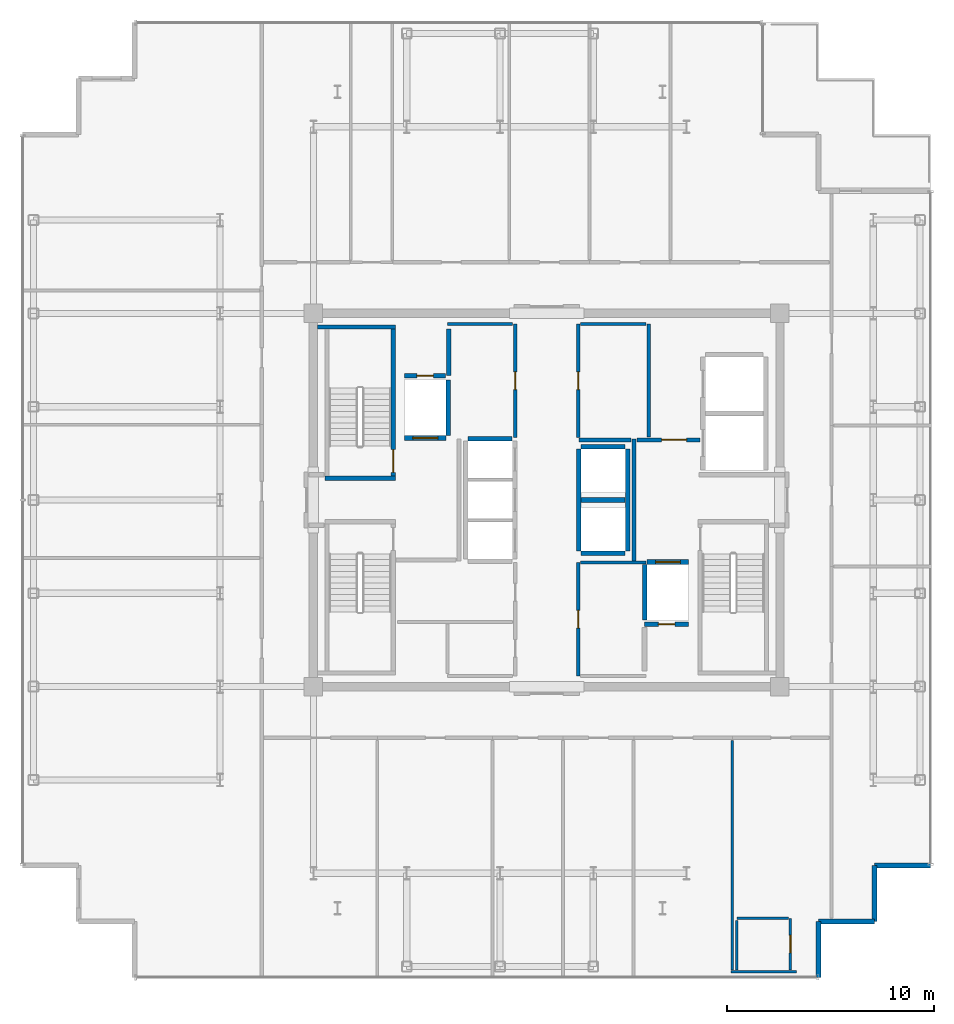
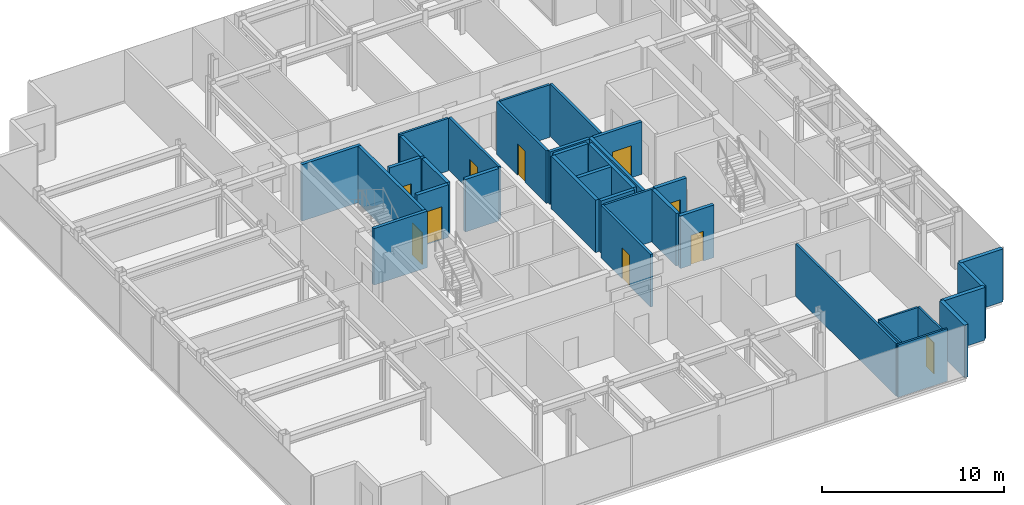
# One storey, part 13 of 17: 35 walls, 10 doors, 10 openings.
"""IFC4 building model written with IfcOpenShell, lengths in metres."""

from ifc_helpers import new_model, si_unit, direction, frame, frame_2d, origin, place, context, subcontext, project, spatial, rectangle, extrude, source, transform, mapped, material, layer, layer_set, type_object, element, fill, save


model = new_model("IFC4")

# Units and contexts
model_context = context("Model", 3, precision=1e-05, world=origin(), true_north=direction((0.0, 1.0)))
body_context = subcontext(model_context, "Body", "Model", "MODEL_VIEW")
ifc_project = project(units=[si_unit("LENGTHUNIT", "METRE"), si_unit("AREAUNIT", "SQUARE_METRE"), si_unit("VOLUMEUNIT", "CUBIC_METRE"), si_unit("PLANEANGLEUNIT", "RADIAN"), si_unit("MASSUNIT", "GRAM", prefix="KILO")], contexts=[model_context])

# Site, building, storey
site_placement = place(None, origin())
site = spatial("IfcSite", under=ifc_project, at=site_placement, CompositionType="ELEMENT")
building_placement = place(site_placement, origin())
building = spatial("IfcBuilding", under=site, at=building_placement, Name="Nefas-Gora Pilgrimage Tower", CompositionType="ELEMENT")
storey_placement = place(building_placement, frame((0.0, 0.0, 337.60009765625)))
storey = spatial("IfcBuildingStorey", under=building, at=storey_placement, Name="L85", CompositionType="ELEMENT", Elevation=337.60009765625)

# Walls
ifc_material_1 = material(Name="Precast concrete C45/55", Category="concrete")
ifc_layer_1 = layer(ifc_material_1, 0.239990234375)
ifc_layer_set_1 = layer_set([ifc_layer_1], Name="Precast concrete C45/55")
wall_type_1 = type_object("IfcWallType", Name="EW-SERR-240", PredefinedType="SHEAR", material=ifc_layer_set_1)
shared_shape_1 = source(origin(), body_context, "Body", "SweptSolid", [
    extrude(rectangle(XDim=2.699951171875, YDim=0.239990234375, at=frame_2d((1.35009765625, 0.0))), origin(), (0.0, 0.0, 1.0), 3.5498046875),
])
for number, where, z_axis, x_axis, name in (
    (1, (13.1201171875, -23.02001953125, 0.0), (0.0, 0.0, 1.0), (0.0, 1.0, 0.0), "L85 Serrated Corner Shear Pier Wall 12"),
    (2, (13.1201171875, -20.320068359375, 0.0), (0.0, 0.0, 1.0), (1.0, 0.0, 0.0), "L85 Serrated Corner Shear Pier Wall 13"),
    (3, (15.820068359375, -20.320068359375, 0.0), (0.0, 0.0, 1.0), (0.0, 1.0, 0.0), "L85 Serrated Corner Shear Pier Wall 14"),
    (4, (15.820068359375, -17.6201171875, 0.0), (0.0, 0.0, 1.0), (1.0, 0.0, 0.0), "L85 Serrated Corner Shear Pier Wall 15"),
):
    element("IfcWall", number, at=place(storey_placement, frame(where, z_axis=z_axis, x_axis=x_axis)), inside=storey, type_object=wall_type_1, Name=name, PredefinedType="SHEAR", context=body_context, shape_type="MappedRepresentation", body=[
        mapped(shared_shape_1, transform((0.0, 0.0, 0.0), x_axis=(1.0, 0.0, 0.0), y_axis=(0.0, 1.0, 0.0), z_axis=(0.0, 0.0, 1.0), scale=1.0)),
    ])
ifc_material_2 = material(Name="Concrete C45/55", Category="concrete")
ifc_layer_2 = layer(ifc_material_2, 0.199951171875)
ifc_layer_set_2 = layer_set([ifc_layer_2], Name="Concrete C45/55")
wall_type_2 = type_object("IfcWallType", Name="IW-STAIR-200", PredefinedType="SOLIDWALL", material=ifc_layer_set_2)
shared_shape_2 = source(origin(), body_context, "Body", "SweptSolid", [
    extrude(rectangle(XDim=3.39990234375, YDim=0.199951171875, at=frame_2d((1.699951171875, 0.0))), origin(), (0.0, 0.0, 1.0), 3.7998046875),
])
wall_1_placement = place(storey_placement, frame((-7.300048828125, 1.050048828125, 0.0), z_axis=(0.0, 0.0, 1.0), x_axis=(-1.0, 0.0, 0.0)))
element("IfcWall", 5, at=wall_1_placement, inside=storey, type_object=wall_type_2, Name="L85 Stairwell Shear Wall ST-01-near", PredefinedType="SOLIDWALL", context=body_context, shape_type="MappedRepresentation", body=[
    mapped(shared_shape_2, transform((0.0, 0.0, 0.0), x_axis=(1.0, 0.0, 0.0), y_axis=(0.0, 1.0, 0.0), z_axis=(0.0, 0.0, 1.0), scale=1.0)),
])

# Wall, opening, door
shared_shape_3 = source(origin(), body_context, "Body", "SweptSolid", [
    extrude(rectangle(XDim=7.10009765625, YDim=0.199951171875, at=frame_2d((3.550048828125, 0.0))), origin(), (0.0, 0.0, 1.0), 3.7998046875),
])
wall_2_placement = place(storey_placement, frame((-7.39990234375, 1.14990234375, 0.0), z_axis=(0.0, 0.0, 1.0), x_axis=(0.0, 1.0, 0.0)))
wall_2 = element("IfcWall", 6, at=wall_2_placement, inside=storey, type_object=wall_type_2, Name="L85 Stairwell Shear Wall ST-01-left", PredefinedType="SOLIDWALL", context=body_context, shape_type="MappedRepresentation", body=[
    mapped(shared_shape_3, transform((0.0, 0.0, 0.0), x_axis=(1.0, 0.0, 0.0), y_axis=(0.0, 1.0, 0.0), z_axis=(0.0, 0.0, 1.0), scale=1.0)),
])
opening_1_placement = place(wall_2_placement, frame((0.179931640625, 0.0, 0.0)))
opening_1 = element("IfcOpeningElement", 7, at=opening_1_placement, cuts=wall_2, Name="Opening ID-ST1", PredefinedType="OPENING", context=body_context, shape_type="SweptSolid", body=[
    extrude(rectangle(XDim=1.10009765625, YDim=2.14990234375, at=frame_2d((0.550048828125, 1.074951171875))), frame((0.0, 0.10986328125, 0.0), z_axis=(0.0, -1.0, 0.0), x_axis=(1.0, 0.0, 0.0)), (0.0, 0.0, 1.0), 0.219970703125),
])
ifc_material_3 = material(Name="Painted galvanised steel fire stair door", Category="steel")
door_type_1 = type_object("IfcDoorType", Name="DR-INT-STAIR-1100", OperationType="NOTDEFINED", PredefinedType="DOOR", material=ifc_material_3)
shared_shape_4 = source(origin(), body_context, "Body", "SweptSolid", [
    extrude(rectangle(XDim=1.10009765625, YDim=2.14990234375, at=frame_2d((0.550048828125, 1.074951171875))), frame((0.0, 0.02490234375, 0.0), z_axis=(0.0, -1.0, 0.0), x_axis=(1.0, 0.0, 0.0)), (0.0, 0.0, 1.0), 0.050048828125),
])
door_1_placement = place(opening_1_placement, origin())
door_1 = element("IfcDoor", 8, at=door_1_placement, inside=storey, type_object=door_type_1, Name="L85 Protected Exit Stair Door ST-01", OperationType="SINGLE_SWING_LEFT", OverallHeight=2.14990234375, OverallWidth=1.10009765625, PredefinedType="DOOR", context=body_context, shape_type="MappedRepresentation", body=[
    mapped(shared_shape_4, transform((0.0, 0.0, 0.0), x_axis=(1.0, 0.0, 0.0), y_axis=(0.0, 1.0, 0.0), z_axis=(0.0, 0.0, 1.0), scale=1.0)),
])
fill(opening_1, door_1)

# Wall
shared_shape_5 = source(origin(), body_context, "Body", "SweptSolid", [
    extrude(rectangle(XDim=3.7548828125, YDim=0.199951171875, at=frame_2d((1.87744140625, 0.0))), origin(), (0.0, 0.0, 1.0), 3.7998046875),
])
wall_3_placement = place(storey_placement, frame((-7.300048828125, 8.35009765625, 0.0), z_axis=(0.0, 0.0, 1.0), x_axis=(-1.0, 0.0, 0.0)))
element("IfcWall", 9, at=wall_3_placement, inside=storey, type_object=wall_type_2, Name="L85 Stairwell Shear Wall ST-01-far", PredefinedType="SOLIDWALL", context=body_context, shape_type="MappedRepresentation", body=[
    mapped(shared_shape_5, transform((0.0, 0.0, 0.0), x_axis=(1.0, 0.0, 0.0), y_axis=(0.0, 1.0, 0.0), z_axis=(0.0, 0.0, 1.0), scale=1.0)),
])

# Wall, opening, door
ifc_material_4 = material(Name="Concrete C40/50", Category="concrete")
ifc_layer_3 = layer(ifc_material_4, 0.219970703125)
ifc_layer_set_3 = layer_set([ifc_layer_3], Name="Concrete C40/50")
wall_type_3 = type_object("IfcWallType", Name="IW-SHAFT-220", PredefinedType="SOLIDWALL", material=ifc_layer_set_3)
shared_shape_6 = source(origin(), body_context, "Body", "SweptSolid", [
    extrude(rectangle(XDim=2.0, YDim=0.219970703125, at=frame_2d((1.0, 0.0))), origin(), (0.0, 0.0, 1.0), 3.534912109375),
])
wall_4_placement = place(storey_placement, frame((-6.85009765625, 2.989990234375, 0.0), z_axis=(0.0, 0.0, 1.0), x_axis=(1.0, 0.0, 0.0)))
wall_4 = element("IfcWall", 10, at=wall_4_placement, inside=storey, type_object=wall_type_3, Name="L85 Hoistway Wall FFL-01-S", PredefinedType="SOLIDWALL", context=body_context, shape_type="MappedRepresentation", body=[
    mapped(shared_shape_6, transform((0.0, 0.0, 0.0), x_axis=(1.0, 0.0, 0.0), y_axis=(0.0, 1.0, 0.0), z_axis=(0.0, 0.0, 1.0), scale=1.0)),
])
opening_2_placement = place(wall_4_placement, frame((0.39990234375, 0.0, 0.0)))
opening_2 = element("IfcOpeningElement", 11, at=opening_2_placement, cuts=wall_4, Name="Opening LD-FF", PredefinedType="OPENING", context=body_context, shape_type="SweptSolid", body=[
    extrude(rectangle(XDim=1.199951171875, YDim=2.199951171875, at=frame_2d((0.60009765625, 1.10009765625))), frame((0.0, 0.119873046875, 0.0), z_axis=(0.0, -1.0, 0.0), x_axis=(1.0, 0.0, 0.0)), (0.0, 0.0, 1.0), 0.239990234375),
])
ifc_material_5 = material(Name="Fire-service sliding lift landing door")
door_type_2 = type_object("IfcDoorType", Name="DR-LIFT-FSAE-1200", OperationType="SLIDING_TO_LEFT", PredefinedType="DOOR", material=ifc_material_5)
shared_shape_7 = source(origin(), body_context, "Body", "SweptSolid", [
    extrude(rectangle(XDim=1.199951171875, YDim=2.199951171875, at=frame_2d((0.60009765625, 1.10009765625))), frame((0.0, 0.02490234375, 0.0), z_axis=(0.0, -1.0, 0.0), x_axis=(1.0, 0.0, 0.0)), (0.0, 0.0, 1.0), 0.050048828125),
])
door_2_placement = place(opening_2_placement, origin())
door_2 = element("IfcDoor", 12, at=door_2_placement, inside=storey, type_object=door_type_2, Name="L85 Sliding Lift Landing Door FFL-01", OperationType="SLIDING_TO_LEFT", OverallHeight=2.199951171875, OverallWidth=1.199951171875, PredefinedType="DOOR", context=body_context, shape_type="MappedRepresentation", body=[
    mapped(shared_shape_7, transform((0.0, 0.0, 0.0), x_axis=(1.0, 0.0, 0.0), y_axis=(0.0, 1.0, 0.0), z_axis=(0.0, 0.0, 1.0), scale=1.0)),
])
fill(opening_2, door_2)

wall_5_placement = place(storey_placement, frame((6.85009765625, -2.989990234375, 0.0), z_axis=(0.0, 0.0, 1.0), x_axis=(-1.0, 0.0, 0.0)))
wall_5 = element("IfcWall", 13, at=wall_5_placement, inside=storey, type_object=wall_type_3, Name="L85 Hoistway Wall FFL-02-N", PredefinedType="SOLIDWALL", context=body_context, shape_type="MappedRepresentation", body=[
    mapped(shared_shape_6, transform((0.0, 0.0, 0.0), x_axis=(1.0, 0.0, 0.0), y_axis=(0.0, 1.0, 0.0), z_axis=(0.0, 0.0, 1.0), scale=1.0)),
])
opening_3_placement = place(wall_5_placement, frame((0.39990234375, 0.0, 0.0)))
opening_3 = element("IfcOpeningElement", 14, at=opening_3_placement, cuts=wall_5, Name="Opening LD-FF", PredefinedType="OPENING", context=body_context, shape_type="SweptSolid", body=[
    extrude(rectangle(XDim=1.199951171875, YDim=2.199951171875, at=frame_2d((0.60009765625, 1.10009765625))), frame((0.0, 0.119873046875, 0.0), z_axis=(0.0, -1.0, 0.0), x_axis=(1.0, 0.0, 0.0)), (0.0, 0.0, 1.0), 0.239990234375),
])
door_3_placement = place(opening_3_placement, origin())
door_3 = element("IfcDoor", 15, at=door_3_placement, inside=storey, type_object=door_type_2, Name="L85 Sliding Lift Landing Door FFL-02", OperationType="SLIDING_TO_LEFT", OverallHeight=2.199951171875, OverallWidth=1.199951171875, PredefinedType="DOOR", context=body_context, shape_type="MappedRepresentation", body=[
    mapped(shared_shape_7, transform((0.0, 0.0, 0.0), x_axis=(1.0, 0.0, 0.0), y_axis=(0.0, 1.0, 0.0), z_axis=(0.0, 0.0, 1.0), scale=1.0)),
])
fill(opening_3, door_3)

# Walls
shared_shape_8 = source(origin(), body_context, "Body", "SweptSolid", [
    extrude(rectangle(XDim=2.679931640625, YDim=0.219970703125, at=frame_2d((1.33984375, 0.0))), origin(), (0.0, 0.0, 1.0), 3.534912109375),
])
for number, where, z_axis, x_axis, name in (
    (16, (-4.739990234375, 3.110107421875, 0.0), (0.0, 0.0, 1.0), (0.0, 1.0, 0.0), "L85 Hoistway Wall FFL-01-E"),
    (17, (4.739990234375, -3.110107421875, 0.0), (0.0, 0.0, 1.0), (0.0, -1.0, 0.0), "L85 Hoistway Wall FFL-02-W"),
):
    element("IfcWall", number, at=place(storey_placement, frame(where, z_axis=z_axis, x_axis=x_axis)), inside=storey, type_object=wall_type_3, Name=name, PredefinedType="SOLIDWALL", context=body_context, shape_type="MappedRepresentation", body=[
        mapped(shared_shape_8, transform((0.0, 0.0, 0.0), x_axis=(1.0, 0.0, 0.0), y_axis=(0.0, 1.0, 0.0), z_axis=(0.0, 0.0, 1.0), scale=1.0)),
    ])
shared_shape_9 = source(origin(), body_context, "Body", "SweptSolid", [
    extrude(rectangle(XDim=2.130126953125, YDim=0.219970703125, at=frame_2d((1.06494140625, 0.0))), origin(), (0.0, 0.0, 1.0), 3.534912109375),
])
for number, where, z_axis, x_axis, name in (
    (18, (-1.659912109375, 2.9599609375, 0.0), (0.0, 0.0, 1.0), (-1.0, 0.0, 0.0), "L85 Hoistway Wall PL3-03-N"),
    (19, (1.659912109375, -2.56005859375, 0.0), (0.0, 0.0, 1.0), (1.0, 0.0, 0.0), "L85 Hoistway Wall OBS-01-S"),
    (20, (1.659912109375, 0.0, 0.0), (0.0, 0.0, 1.0), (1.0, 0.0, 0.0), "L85 Hoistway Wall OBS-01-02-DIV"),
    (21, (3.7900390625, 2.56005859375, 0.0), (0.0, 0.0, 1.0), (-1.0, 0.0, 0.0), "L85 Hoistway Wall OBS-02-N"),
):
    element("IfcWall", number, at=place(storey_placement, frame(where, z_axis=z_axis, x_axis=x_axis)), inside=storey, type_object=wall_type_3, Name=name, PredefinedType="SOLIDWALL", context=body_context, shape_type="MappedRepresentation", body=[
        mapped(shared_shape_9, transform((0.0, 0.0, 0.0), x_axis=(1.0, 0.0, 0.0), y_axis=(0.0, 1.0, 0.0), z_axis=(0.0, 0.0, 1.0), scale=1.0)),
    ])

# Wall, opening, door
wall_6_placement = place(storey_placement, frame((4.719970703125, -6.0, 0.0), z_axis=(0.0, 0.0, 1.0), x_axis=(1.0, 0.0, 0.0)))
wall_6 = element("IfcWall", 22, at=wall_6_placement, inside=storey, type_object=wall_type_3, Name="L85 Riser Shaft Wall 3", PredefinedType="SOLIDWALL", context=body_context, shape_type="MappedRepresentation", body=[
    mapped(shared_shape_9, transform((0.0, 0.0, 0.0), x_axis=(1.0, 0.0, 0.0), y_axis=(0.0, 1.0, 0.0), z_axis=(0.0, 0.0, 1.0), scale=1.0)),
])
opening_4_placement = place(wall_6_placement, frame((0.6650390625, 0.0, 0.0)))
opening_4 = element("IfcOpeningElement", 23, at=opening_4_placement, cuts=wall_6, Name="Opening ID-TR1", PredefinedType="OPENING", context=body_context, shape_type="SweptSolid", body=[
    extrude(rectangle(XDim=0.800048828125, YDim=2.0, at=frame_2d((0.39990234375, 1.0))), frame((0.0, 0.119873046875, 0.0), z_axis=(0.0, -1.0, 0.0), x_axis=(1.0, 0.0, 0.0)), (0.0, 0.0, 1.0), 0.239990234375),
])
ifc_material_6 = material(Name="Riser maintenance fire access door")
door_type_3 = type_object("IfcDoorType", Name="DR-INT-TRAP-800", OperationType="NOTDEFINED", PredefinedType="TRAPDOOR", material=ifc_material_6)
shared_shape_10 = source(origin(), body_context, "Body", "SweptSolid", [
    extrude(rectangle(XDim=0.800048828125, YDim=2.0, at=frame_2d((0.39990234375, 1.0))), frame((0.0, 0.02490234375, 0.0), z_axis=(0.0, -1.0, 0.0), x_axis=(1.0, 0.0, 0.0)), (0.0, 0.0, 1.0), 0.050048828125),
])
door_4_placement = place(opening_4_placement, origin())
door_4 = element("IfcDoor", 24, at=door_4_placement, inside=storey, type_object=door_type_3, Name="L85 Riser Shaft Door 2", OperationType="SINGLE_SWING_RIGHT", OverallHeight=2.0, OverallWidth=0.800048828125, PredefinedType="TRAPDOOR", context=body_context, shape_type="MappedRepresentation", body=[
    mapped(shared_shape_10, transform((0.0, 0.0, 0.0), x_axis=(1.0, 0.0, 0.0), y_axis=(0.0, 1.0, 0.0), z_axis=(0.0, 0.0, 1.0), scale=1.0)),
])
fill(opening_4, door_4)

# Walls
shared_shape_11 = source(origin(), body_context, "Body", "SweptSolid", [
    extrude(rectangle(XDim=4.89990234375, YDim=0.219970703125, at=frame_2d((2.449951171875, 0.0))), origin(), (0.0, 0.0, 1.0), 3.534912109375),
])
for number, where, z_axis, x_axis, name in (
    (25, (1.5400390625, 2.449951171875, 0.0), (0.0, 0.0, 1.0), (0.0, -1.0, 0.0), "L85 Hoistway Wall OBS-01-02-W"),
    (26, (3.909912109375, -2.449951171875, 0.0), (0.0, 0.0, 1.0), (0.0, 1.0, 0.0), "L85 Hoistway Wall OBS-01-02-E"),
):
    element("IfcWall", number, at=place(storey_placement, frame(where, z_axis=z_axis, x_axis=x_axis)), inside=storey, type_object=wall_type_3, Name=name, PredefinedType="SOLIDWALL", context=body_context, shape_type="MappedRepresentation", body=[
        mapped(shared_shape_11, transform((0.0, 0.0, 0.0), x_axis=(1.0, 0.0, 0.0), y_axis=(0.0, 1.0, 0.0), z_axis=(0.0, 0.0, 1.0), scale=1.0)),
    ])
ifc_material_7 = material(Name="Gypsum fire-rated shaftwall")
ifc_layer_4 = layer(ifc_material_7, 0.199951171875)
ifc_layer_set_4 = layer_set([ifc_layer_4], Name="Gypsum fire-rated shaftwall")
wall_type_4 = type_object("IfcWallType", Name="IW-FFLOB-200", PredefinedType="PARTITIONING", material=ifc_layer_set_4)
shared_shape_12 = source(origin(), body_context, "Body", "SweptSolid", [
    extrude(rectangle(XDim=5.89990234375, YDim=0.199951171875, at=frame_2d((2.949951171875, 0.0))), origin(), (0.0, 0.0, 1.0), 3.534912109375),
])
wall_7_placement = place(storey_placement, frame((4.219970703125, -2.949951171875, 0.0), z_axis=(0.0, 0.0, 1.0), x_axis=(0.0, 1.0, 0.0)))
element("IfcWall", 27, at=wall_7_placement, inside=storey, type_object=wall_type_4, Name="L85 FF Lobby East Inner Wall Wall 11", PredefinedType="PARTITIONING", context=body_context, shape_type="MappedRepresentation", body=[
    mapped(shared_shape_12, transform((0.0, 0.0, 0.0), x_axis=(1.0, 0.0, 0.0), y_axis=(0.0, 1.0, 0.0), z_axis=(0.0, 0.0, 1.0), scale=1.0)),
])

# Wall, opening, door
shared_shape_13 = source(origin(), body_context, "Body", "SweptSolid", [
    extrude(rectangle(XDim=3.039794921875, YDim=0.199951171875, at=frame_2d((1.52001953125, 0.0))), origin(), (0.0, 0.0, 1.0), 3.534912109375),
])
wall_8_placement = place(storey_placement, frame((4.360107421875, 2.89990234375, 0.0), z_axis=(0.0, 0.0, 1.0), x_axis=(1.0, 0.0, 0.0)))
wall_8 = element("IfcWall", 28, at=wall_8_placement, inside=storey, type_object=wall_type_4, Name="L85 FF Lobby East North Wall Wall 13", PredefinedType="PARTITIONING", context=body_context, shape_type="MappedRepresentation", body=[
    mapped(shared_shape_13, transform((0.0, 0.0, 0.0), x_axis=(1.0, 0.0, 0.0), y_axis=(0.0, 1.0, 0.0), z_axis=(0.0, 0.0, 1.0), scale=1.0)),
])
opening_5_placement = place(wall_8_placement, frame((1.18994140625, 0.0, 0.0)))
opening_5 = element("IfcOpeningElement", 29, at=opening_5_placement, cuts=wall_8, Name="Opening ID-PL1", PredefinedType="OPENING", context=body_context, shape_type="SweptSolid", body=[
    extrude(rectangle(XDim=1.199951171875, YDim=2.14990234375, at=frame_2d((0.60009765625, 1.074951171875))), frame((0.0, 0.10986328125, 0.0), z_axis=(0.0, -1.0, 0.0), x_axis=(1.0, 0.0, 0.0)), (0.0, 0.0, 1.0), 0.219970703125),
])
ifc_material_8 = material(Name="Heavy-duty steel plant room fire door", Category="steel")
door_type_4 = type_object("IfcDoorType", Name="DR-INT-PLANT-1200", OperationType="NOTDEFINED", PredefinedType="DOOR", material=ifc_material_8)
shared_shape_14 = source(origin(), body_context, "Body", "SweptSolid", [
    extrude(rectangle(XDim=1.199951171875, YDim=2.14990234375, at=frame_2d((0.60009765625, 1.074951171875))), frame((0.0, 0.02490234375, 0.0), z_axis=(0.0, -1.0, 0.0), x_axis=(1.0, 0.0, 0.0)), (0.0, 0.0, 1.0), 0.050048828125),
])
door_5_placement = place(opening_5_placement, origin())
door_5 = element("IfcDoor", 30, at=door_5_placement, inside=storey, type_object=door_type_4, Name="L85 Service Lift Lobby Door Door 5", OperationType="SINGLE_SWING_LEFT", OverallHeight=2.14990234375, OverallWidth=1.199951171875, PredefinedType="DOOR", context=body_context, shape_type="MappedRepresentation", body=[
    mapped(shared_shape_14, transform((0.0, 0.0, 0.0), x_axis=(1.0, 0.0, 0.0), y_axis=(0.0, 1.0, 0.0), z_axis=(0.0, 0.0, 1.0), scale=1.0)),
])
fill(opening_5, door_5)

# Walls
ifc_material_9 = material(Name="Gypsum twin-stud partition")
ifc_layer_5 = layer(ifc_material_9, 0.139892578125)
ifc_layer_set_5 = layer_set([ifc_layer_5], Name="Gypsum twin-stud partition")
wall_type_5 = type_object("IfcWallType", Name="IW-UNIT-140", PredefinedType="PARTITIONING", material=ifc_layer_set_5)
shared_shape_15 = source(origin(), body_context, "Body", "SweptSolid", [
    extrude(rectangle(XDim=3.150146484375, YDim=0.139892578125, at=frame_2d((1.5751953125, 0.0))), origin(), (0.0, 0.0, 1.0), 3.534912109375),
])
for number, where, z_axis, x_axis, name in (
    (31, (-4.7900390625, 8.47998046875, 0.0), (0.0, 0.0, 1.0), (1.0, 0.0, 0.0), "L85 Housekeeping and Linen Store Partition Wall 24"),
    (32, (1.639892578125, 8.47998046875, 0.0), (0.0, 0.0, 1.0), (1.0, 0.0, 0.0), "L85 Freed Bank-1 Amenity Supply Store Partition Wall 28"),
    (33, (1.639892578125, -3.02001953125, 0.0), (0.0, 0.0, 1.0), (1.0, 0.0, 0.0), "L85 Freed Bank-2 East Linen Store Partition Wall 32"),
):
    element("IfcWall", number, at=place(storey_placement, frame(where, z_axis=z_axis, x_axis=x_axis)), inside=storey, type_object=wall_type_5, Name=name, PredefinedType="PARTITIONING", context=body_context, shape_type="MappedRepresentation", body=[
        mapped(shared_shape_15, transform((0.0, 0.0, 0.0), x_axis=(1.0, 0.0, 0.0), y_axis=(0.0, 1.0, 0.0), z_axis=(0.0, 0.0, 1.0), scale=1.0)),
    ])

# Wall, opening, door
ifc_material_10 = material(Name="Moisture-resistant fire-rated gypsum partition")
ifc_layer_6 = layer(ifc_material_10, 0.1201171875)
ifc_layer_set_6 = layer_set([ifc_layer_6], Name="Moisture-resistant fire-rated gypsum partition")
wall_type_6 = type_object("IfcWallType", Name="IW-WET-120", PredefinedType="PLUMBINGWALL", material=ifc_layer_set_6)
shared_shape_16 = source(origin(), body_context, "Body", "SweptSolid", [
    extrude(rectangle(XDim=2.47998046875, YDim=0.1201171875, at=frame_2d((1.239990234375, 0.0))), origin(), (0.0, 0.0, 1.0), 3.534912109375),
])
wall_9_placement = place(storey_placement, frame((11.760009765625, -22.659912109375, 0.0), z_axis=(0.0, 0.0, 1.0), x_axis=(0.0, 1.0, 0.0)))
wall_9 = element("IfcWall", 34, at=wall_9_placement, inside=storey, type_object=wall_type_6, Name="L85 En-Suite Bathroom Wall 20", PredefinedType="PLUMBINGWALL", context=body_context, shape_type="MappedRepresentation", body=[
    mapped(shared_shape_16, transform((0.0, 0.0, 0.0), x_axis=(1.0, 0.0, 0.0), y_axis=(0.0, 1.0, 0.0), z_axis=(0.0, 0.0, 1.0), scale=1.0)),
])
opening_6_placement = place(wall_9_placement, frame((0.81494140625, 0.0, 0.0)))
opening_6 = element("IfcOpeningElement", 35, at=opening_6_placement, cuts=wall_9, Name="Opening ID-BT1", PredefinedType="OPENING", context=body_context, shape_type="SweptSolid", body=[
    extrude(rectangle(XDim=0.85009765625, YDim=2.10009765625, at=frame_2d((0.425048828125, 1.050048828125))), frame((0.0, 0.070068359375, 0.0), z_axis=(0.0, -1.0, 0.0), x_axis=(1.0, 0.0, 0.0)), (0.0, 0.0, 1.0), 0.14013671875),
])
ifc_material_11 = material(Name="Moisture-resistant fire-rated timber door", Category="wood")
door_type_5 = type_object("IfcDoorType", Name="DR-INT-BATH-850", OperationType="NOTDEFINED", PredefinedType="DOOR", material=ifc_material_11)
shared_shape_17 = source(origin(), body_context, "Body", "SweptSolid", [
    extrude(rectangle(XDim=0.85009765625, YDim=2.10009765625, at=frame_2d((0.425048828125, 1.050048828125))), frame((0.0, 0.02490234375, 0.0), z_axis=(0.0, -1.0, 0.0), x_axis=(1.0, 0.0, 0.0)), (0.0, 0.0, 1.0), 0.050048828125),
])
door_6_placement = place(opening_6_placement, origin())
door_6 = element("IfcDoor", 36, at=door_6_placement, inside=storey, type_object=door_type_5, Name="L85 En-Suite Bathroom Door 8", OperationType="SINGLE_SWING_RIGHT", OverallHeight=2.10009765625, OverallWidth=0.85009765625, PredefinedType="DOOR", context=body_context, shape_type="MappedRepresentation", body=[
    mapped(shared_shape_17, transform((0.0, 0.0, 0.0), x_axis=(1.0, 0.0, 0.0), y_axis=(0.0, 1.0, 0.0), z_axis=(0.0, 0.0, 1.0), scale=1.0)),
])
fill(opening_6, door_6)

# Walls
wall_10_placement = place(storey_placement, frame((9.179931640625, -20.179931640625, 0.0), z_axis=(0.0, 0.0, 1.0), x_axis=(1.0, 0.0, 0.0)))
element("IfcWall", 37, at=wall_10_placement, inside=storey, type_object=wall_type_6, Name="L85 En-Suite Bathroom Wall 21", PredefinedType="PLUMBINGWALL", context=body_context, shape_type="MappedRepresentation", body=[
    mapped(shared_shape_16, transform((0.0, 0.0, 0.0), x_axis=(1.0, 0.0, 0.0), y_axis=(0.0, 1.0, 0.0), z_axis=(0.0, 0.0, 1.0), scale=1.0)),
])
shared_shape_18 = source(origin(), body_context, "Body", "SweptSolid", [
    extrude(rectangle(XDim=2.25, YDim=0.219970703125, at=frame_2d((1.125, 0.0))), origin(), (0.0, 0.0, 1.0), 3.534912109375),
])
wall_11_placement = place(storey_placement, frame((-4.719970703125, 6.0, 0.0), z_axis=(0.0, 0.0, 1.0), x_axis=(0.0, 1.0, 0.0)))
element("IfcWall", 38, at=wall_11_placement, inside=storey, type_object=wall_type_3, Name="L85 Riser Shaft Wall 1", PredefinedType="SOLIDWALL", context=body_context, shape_type="MappedRepresentation", body=[
    mapped(shared_shape_18, transform((0.0, 0.0, 0.0), x_axis=(1.0, 0.0, 0.0), y_axis=(0.0, 1.0, 0.0), z_axis=(0.0, 0.0, 1.0), scale=1.0)),
])

# Wall, opening, door
shared_shape_19 = source(origin(), body_context, "Body", "SweptSolid", [
    extrude(rectangle(XDim=1.97998046875, YDim=0.219970703125, at=frame_2d((0.989990234375, 0.0))), origin(), (0.0, 0.0, 1.0), 3.534912109375),
])
wall_12_placement = place(storey_placement, frame((-6.85009765625, 6.0, 0.0), z_axis=(0.0, 0.0, 1.0), x_axis=(1.0, 0.0, 0.0)))
wall_12 = element("IfcWall", 39, at=wall_12_placement, inside=storey, type_object=wall_type_3, Name="L85 Riser Shaft Wall 2", PredefinedType="SOLIDWALL", context=body_context, shape_type="MappedRepresentation", body=[
    mapped(shared_shape_19, transform((0.0, 0.0, 0.0), x_axis=(1.0, 0.0, 0.0), y_axis=(0.0, 1.0, 0.0), z_axis=(0.0, 0.0, 1.0), scale=1.0)),
])
opening_7_placement = place(wall_12_placement, frame((0.590087890625, 0.0, 0.0)))
opening_7 = element("IfcOpeningElement", 40, at=opening_7_placement, cuts=wall_12, Name="Opening ID-TR1", PredefinedType="OPENING", context=body_context, shape_type="SweptSolid", body=[
    extrude(rectangle(XDim=0.800048828125, YDim=2.0, at=frame_2d((0.39990234375, 1.0))), frame((0.0, 0.119873046875, 0.0), z_axis=(0.0, -1.0, 0.0), x_axis=(1.0, 0.0, 0.0)), (0.0, 0.0, 1.0), 0.239990234375),
])
door_7_placement = place(opening_7_placement, origin())
door_7 = element("IfcDoor", 41, at=door_7_placement, inside=storey, type_object=door_type_3, Name="L85 Riser Shaft Door 1", OperationType="SINGLE_SWING_LEFT", OverallHeight=2.0, OverallWidth=0.800048828125, PredefinedType="TRAPDOOR", context=body_context, shape_type="MappedRepresentation", body=[
    mapped(shared_shape_10, transform((0.0, 0.0, 0.0), x_axis=(1.0, 0.0, 0.0), y_axis=(0.0, 1.0, 0.0), z_axis=(0.0, 0.0, 1.0), scale=1.0)),
])
fill(opening_7, door_7)

# Walls
shared_shape_20 = source(origin(), body_context, "Body", "SweptSolid", [
    extrude(rectangle(XDim=2.52001953125, YDim=0.199951171875, at=frame_2d((1.260009765625, 0.0))), origin(), (0.0, 0.0, 1.0), 3.534912109375),
])
wall_13_placement = place(storey_placement, frame((1.56005859375, 2.89990234375, 0.0), z_axis=(0.0, 0.0, 1.0), x_axis=(1.0, 0.0, 0.0)))
element("IfcWall", 42, at=wall_13_placement, inside=storey, type_object=wall_type_4, Name="L85 FF Lobby East North Wall Wall 12", PredefinedType="PARTITIONING", context=body_context, shape_type="MappedRepresentation", body=[
    mapped(shared_shape_20, transform((0.0, 0.0, 0.0), x_axis=(1.0, 0.0, 0.0), y_axis=(0.0, 1.0, 0.0), z_axis=(0.0, 0.0, 1.0), scale=1.0)),
])
ifc_material_12 = material(Name="Gypsum acoustic stud partition")
ifc_layer_7 = layer(ifc_material_12, 0.159912109375)
ifc_layer_set_7 = layer_set([ifc_layer_7], Name="Gypsum acoustic stud partition")
wall_type_7 = type_object("IfcWallType", Name="IW-CORR-160", PredefinedType="PARTITIONING", material=ifc_layer_set_7)
shared_shape_21 = source(origin(), body_context, "Body", "SweptSolid", [
    extrude(rectangle(XDim=5.449951171875, YDim=0.159912109375, at=frame_2d((2.72509765625, 0.0))), origin(), (0.0, 0.0, 1.0), 3.534912109375),
])
wall_14_placement = place(storey_placement, frame((4.919921875, 3.0400390625, 0.0), z_axis=(0.0, 0.0, 1.0), x_axis=(0.0, 1.0, 0.0)))
element("IfcWall", 43, at=wall_14_placement, inside=storey, type_object=wall_type_7, Name="L85 Service Lift Lobby West Wall Wall 18", PredefinedType="PARTITIONING", context=body_context, shape_type="MappedRepresentation", body=[
    mapped(shared_shape_21, transform((0.0, 0.0, 0.0), x_axis=(1.0, 0.0, 0.0), y_axis=(0.0, 1.0, 0.0), z_axis=(0.0, 0.0, 1.0), scale=1.0)),
])

# Wall, opening, door
shared_shape_22 = source(origin(), body_context, "Body", "SweptSolid", [
    extrude(rectangle(XDim=5.47998046875, YDim=0.159912109375, at=frame_2d((2.739990234375, 0.0))), origin(), (0.0, 0.0, 1.0), 3.534912109375),
])
wall_15_placement = place(storey_placement, frame((-1.52001953125, 3.010009765625, 0.0), z_axis=(0.0, 0.0, 1.0), x_axis=(0.0, 1.0, 0.0)))
wall_15 = element("IfcWall", 44, at=wall_15_placement, inside=storey, type_object=wall_type_7, Name="L85 Housekeeping and Linen Store Wall 23", PredefinedType="PARTITIONING", context=body_context, shape_type="MappedRepresentation", body=[
    mapped(shared_shape_22, transform((0.0, 0.0, 0.0), x_axis=(1.0, 0.0, 0.0), y_axis=(0.0, 1.0, 0.0), z_axis=(0.0, 0.0, 1.0), scale=1.0)),
])
opening_8_placement = place(wall_15_placement, frame((2.31494140625, 0.0, 0.0)))
opening_8 = element("IfcOpeningElement", 45, at=opening_8_placement, cuts=wall_15, Name="Opening ID-BT1", PredefinedType="OPENING", context=body_context, shape_type="SweptSolid", body=[
    extrude(rectangle(XDim=0.85009765625, YDim=2.10009765625, at=frame_2d((0.425048828125, 1.050048828125))), frame((0.0, 0.08984375, 0.0), z_axis=(0.0, -1.0, 0.0), x_axis=(1.0, 0.0, 0.0)), (0.0, 0.0, 1.0), 0.179931640625),
])
door_8_placement = place(opening_8_placement, origin())
door_8 = element("IfcDoor", 46, at=door_8_placement, inside=storey, type_object=door_type_5, Name="L85 Housekeeping and Linen Store Door 9", OperationType="SINGLE_SWING_LEFT", OverallHeight=2.10009765625, OverallWidth=0.85009765625, PredefinedType="DOOR", context=body_context, shape_type="MappedRepresentation", body=[
    mapped(shared_shape_17, transform((0.0, 0.0, 0.0), x_axis=(1.0, 0.0, 0.0), y_axis=(0.0, 1.0, 0.0), z_axis=(0.0, 0.0, 1.0), scale=1.0)),
])
fill(opening_8, door_8)

wall_16_placement = place(storey_placement, frame((1.52001953125, 3.010009765625, 0.0), z_axis=(0.0, 0.0, 1.0), x_axis=(0.0, 1.0, 0.0)))
wall_16 = element("IfcWall", 47, at=wall_16_placement, inside=storey, type_object=wall_type_7, Name="L85 Freed Bank-1 Amenity Supply Store Wall 27", PredefinedType="PARTITIONING", context=body_context, shape_type="MappedRepresentation", body=[
    mapped(shared_shape_22, transform((0.0, 0.0, 0.0), x_axis=(1.0, 0.0, 0.0), y_axis=(0.0, 1.0, 0.0), z_axis=(0.0, 0.0, 1.0), scale=1.0)),
])
opening_9_placement = place(wall_16_placement, frame((2.31494140625, 0.0, 0.0)))
opening_9 = element("IfcOpeningElement", 48, at=opening_9_placement, cuts=wall_16, Name="Opening ID-BT1", PredefinedType="OPENING", context=body_context, shape_type="SweptSolid", body=[
    extrude(rectangle(XDim=0.85009765625, YDim=2.10009765625, at=frame_2d((0.425048828125, 1.050048828125))), frame((0.0, 0.08984375, 0.0), z_axis=(0.0, -1.0, 0.0), x_axis=(1.0, 0.0, 0.0)), (0.0, 0.0, 1.0), 0.179931640625),
])
door_9_placement = place(opening_9_placement, origin())
door_9 = element("IfcDoor", 49, at=door_9_placement, inside=storey, type_object=door_type_5, Name="L85 Freed Bank-1 Amenity Supply Store Door 12", OperationType="SINGLE_SWING_RIGHT", OverallHeight=2.10009765625, OverallWidth=0.85009765625, PredefinedType="DOOR", context=body_context, shape_type="MappedRepresentation", body=[
    mapped(shared_shape_17, transform((0.0, 0.0, 0.0), x_axis=(1.0, 0.0, 0.0), y_axis=(0.0, 1.0, 0.0), z_axis=(0.0, 0.0, 1.0), scale=1.0)),
])
fill(opening_9, door_9)

wall_17_placement = place(storey_placement, frame((1.52001953125, -8.489990234375, 0.0), z_axis=(0.0, 0.0, 1.0), x_axis=(0.0, 1.0, 0.0)))
wall_17 = element("IfcWall", 50, at=wall_17_placement, inside=storey, type_object=wall_type_7, Name="L85 Freed Bank-2 East Linen Store Wall 31", PredefinedType="PARTITIONING", context=body_context, shape_type="MappedRepresentation", body=[
    mapped(shared_shape_22, transform((0.0, 0.0, 0.0), x_axis=(1.0, 0.0, 0.0), y_axis=(0.0, 1.0, 0.0), z_axis=(0.0, 0.0, 1.0), scale=1.0)),
])
opening_10_placement = place(wall_17_placement, frame((2.31494140625, 0.0, 0.0)))
opening_10 = element("IfcOpeningElement", 51, at=opening_10_placement, cuts=wall_17, Name="Opening ID-BT1", PredefinedType="OPENING", context=body_context, shape_type="SweptSolid", body=[
    extrude(rectangle(XDim=0.85009765625, YDim=2.10009765625, at=frame_2d((0.425048828125, 1.050048828125))), frame((0.0, 0.08984375, 0.0), z_axis=(0.0, -1.0, 0.0), x_axis=(1.0, 0.0, 0.0)), (0.0, 0.0, 1.0), 0.179931640625),
])
door_10_placement = place(opening_10_placement, origin())
door_10 = element("IfcDoor", 52, at=door_10_placement, inside=storey, type_object=door_type_5, Name="L85 Freed Bank-2 East Linen Store Door 13", OperationType="SINGLE_SWING_LEFT", OverallHeight=2.10009765625, OverallWidth=0.85009765625, PredefinedType="DOOR", context=body_context, shape_type="MappedRepresentation", body=[
    mapped(shared_shape_17, transform((0.0, 0.0, 0.0), x_axis=(1.0, 0.0, 0.0), y_axis=(0.0, 1.0, 0.0), z_axis=(0.0, 0.0, 1.0), scale=1.0)),
])
fill(opening_10, door_10)

# Walls
shared_shape_23 = source(origin(), body_context, "Body", "SweptSolid", [
    extrude(rectangle(XDim=2.3798828125, YDim=0.1201171875, at=frame_2d((1.18994140625, 0.0))), origin(), (0.0, 0.0, 1.0), 3.534912109375),
])
wall_18_placement = place(storey_placement, frame((9.179931640625, -22.659912109375, 0.0), z_axis=(0.0, 0.0, 1.0), x_axis=(0.0, 1.0, 0.0)))
element("IfcWall", 53, at=wall_18_placement, inside=storey, type_object=wall_type_6, Name="L85 En-Suite Bathroom Wall 22", PredefinedType="PLUMBINGWALL", context=body_context, shape_type="MappedRepresentation", body=[
    mapped(shared_shape_23, transform((0.0, 0.0, 0.0), x_axis=(1.0, 0.0, 0.0), y_axis=(0.0, 1.0, 0.0), z_axis=(0.0, 0.0, 1.0), scale=1.0)),
])
shared_shape_24 = source(origin(), body_context, "Body", "SweptSolid", [
    extrude(rectangle(XDim=11.06982421875, YDim=0.139892578125, at=frame_2d((5.534912109375, 0.0))), origin(), (0.0, 0.0, 1.0), 3.534912109375),
])
wall_19_placement = place(storey_placement, frame((8.949951171875, -22.659912109375, 0.0), z_axis=(0.0, 0.0, 1.0), x_axis=(0.0, 1.0, 0.0)))
element("IfcWall", 54, at=wall_19_placement, inside=storey, type_object=wall_type_5, Name="L85 Pilgrim Contemplative Lounge Partition Wall 66", PredefinedType="PARTITIONING", context=body_context, shape_type="MappedRepresentation", body=[
    mapped(shared_shape_24, transform((0.0, 0.0, 0.0), x_axis=(1.0, 0.0, 0.0), y_axis=(0.0, 1.0, 0.0), z_axis=(0.0, 0.0, 1.0), scale=1.0)),
])
shared_shape_25 = source(origin(), body_context, "Body", "SweptSolid", [
    extrude(rectangle(XDim=3.14013671875, YDim=0.1201171875, at=frame_2d((1.570068359375, 0.0))), origin(), (0.0, 0.0, 1.0), 3.534912109375),
])
wall_20_placement = place(storey_placement, frame((8.89990234375, -22.760009765625, 0.0), z_axis=(0.0, 0.0, 1.0), x_axis=(1.0, 0.0, 0.0)))
element("IfcWall", 55, at=wall_20_placement, inside=storey, type_object=wall_type_6, Name="L85 En-Suite Bathroom Wall 19", PredefinedType="PLUMBINGWALL", context=body_context, shape_type="MappedRepresentation", body=[
    mapped(shared_shape_25, transform((0.0, 0.0, 0.0), x_axis=(1.0, 0.0, 0.0), y_axis=(0.0, 1.0, 0.0), z_axis=(0.0, 0.0, 1.0), scale=1.0)),
])

save(model, "model.ifc")
